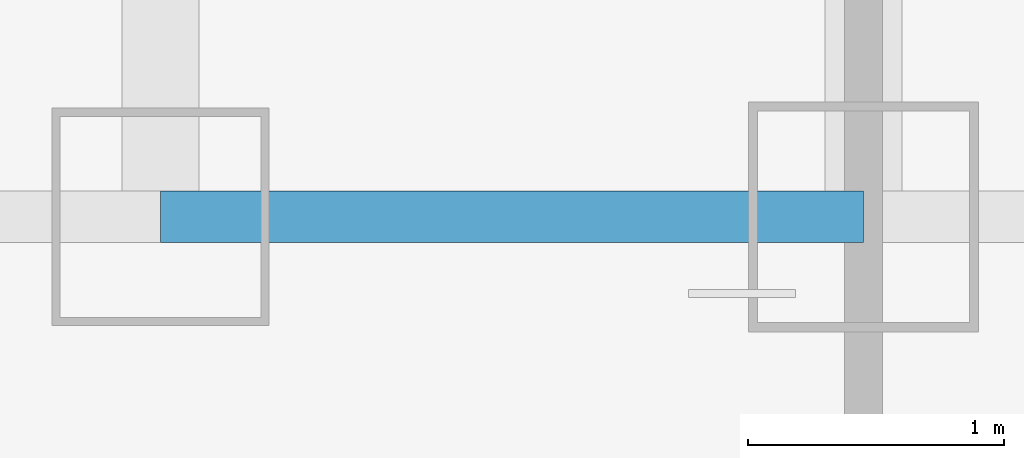
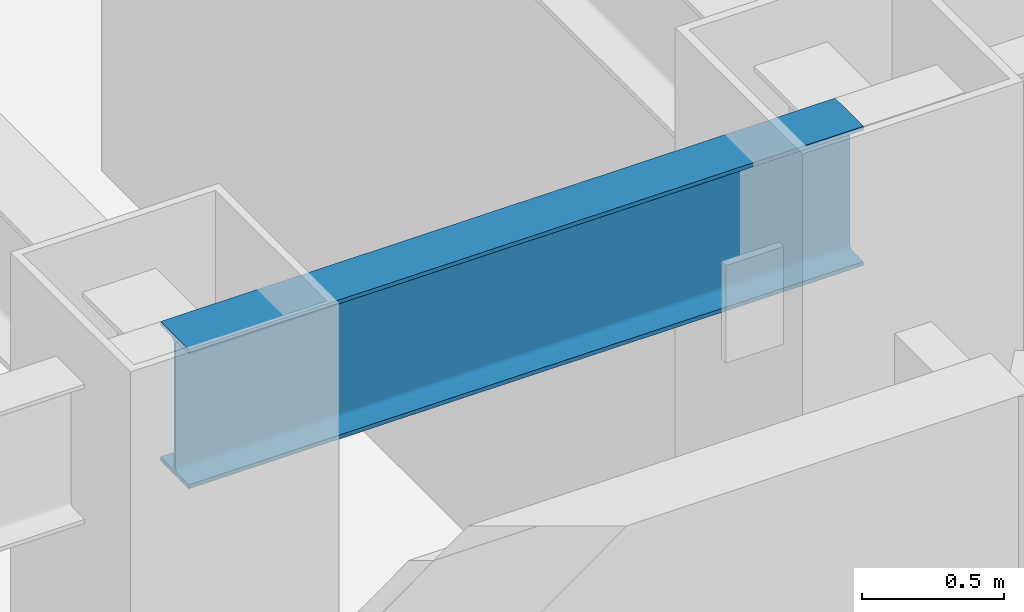
# One storey, part 3 of 29: 1 beam.
"""IFC4 building model written with IfcOpenShell, lengths in metres."""

import ifcopenshell
import ifcopenshell.guid

model = None  # the IFC model being written
_history = None  # IfcOwnerHistory: only IFC2X3 demands one
_inside = {}  # id of a spatial element -> (the spatial element, [elements in it])
_under = {}  # id of a project, library or spatial element -> (it, [spatial elements below it])
_declared = {}  # id of a project -> (the project, [libraries it declares])
_typed = {}  # id of a type object -> (the type object, [elements of that type])
_made_of = {}  # id of a material, layer set ... -> (it, [elements and type objects made of it])


def new_model(schema):
    """Start an empty IFC model of exactly this schema.

    Asked for "IFC4X3", IfcOpenShell would pick the latest addendum, in which some entities
    have other attributes; the version numbers below select the first issue.
    IFC2X3 requires an IfcOwnerHistory on every rooted entity: one is made here for all.
    """
    global model, _history
    if schema == "IFC4X3":
        model = ifcopenshell.file(schema_version=(4, 3, 0, 0))
    else:
        model = ifcopenshell.file(schema=schema)
    _inside.clear()
    _under.clear()
    _declared.clear()
    _typed.clear()
    _made_of.clear()
    _history = None
    if model.schema == "IFC2X3":
        org = make("IfcOrganization", Name="unknown")
        user = make(
            "IfcPersonAndOrganization",
            ThePerson=make("IfcPerson", FamilyName="unknown"),
            TheOrganization=org,
        )
        app = make(
            "IfcApplication",
            ApplicationDeveloper=org,
            Version="unknown",
            ApplicationFullName="unknown",
            ApplicationIdentifier="unknown",
        )
        _history = make(
            "IfcOwnerHistory",
            OwningUser=user,
            OwningApplication=app,
            ChangeAction="ADDED",
            CreationDate=0,
        )
    return model


def make(cls, **values):
    """One entity of the class cls with the attributes given. An attribute that is None is left unset."""
    return model.create_entity(
        cls, **{name: value for name, value in values.items() if value is not None}
    )


def rooted(cls, **values):
    """An entity with a GlobalId (a new one), such as an element, a storey or a relation."""
    return make(cls, GlobalId=ifcopenshell.guid.new(), OwnerHistory=_history, **values)


def si_unit(unit_type, name, prefix=None):
    """IfcSIUnit, for example si_unit("LENGTHUNIT", "METRE", prefix="MILLI")."""
    return make("IfcSIUnit", UnitType=unit_type, Prefix=prefix, Name=name)


def assignment(units):
    """IfcUnitAssignment: the units of a project."""
    return None if units is None else make("IfcUnitAssignment", Units=units)


def point(xyz):
    """IfcCartesianPoint."""
    return None if xyz is None else make("IfcCartesianPoint", Coordinates=xyz)


def direction(xyz):
    """IfcDirection."""
    return None if xyz is None else make("IfcDirection", DirectionRatios=xyz)


def frame(location, z_axis=None, x_axis=None):
    """IfcAxis2Placement3D, a coordinate frame: its origin and axes. An axis left out is left unset."""
    return make(
        "IfcAxis2Placement3D",
        Location=point(location),
        Axis=direction(z_axis),
        RefDirection=direction(x_axis),
    )


def frame_2d(location, x_axis=None):
    """IfcAxis2Placement2D, a coordinate frame in the plane: its origin and x axis."""
    return make(
        "IfcAxis2Placement2D", Location=point(location), RefDirection=direction(x_axis)
    )


def origin():
    """The frame at (0, 0, 0) with its axes left unset."""
    return frame((0.0, 0.0, 0.0))


def origin_2d():
    """The frame at (0, 0) in the plane with its x axis left unset."""
    return frame_2d((0.0, 0.0))


def place(relative_to, where):
    """IfcLocalPlacement: puts the frame where relative to a parent placement (None: the world)."""
    return make(
        "IfcLocalPlacement", PlacementRelTo=relative_to, RelativePlacement=where
    )


def context(
    kind, dimensions, precision=None, world=None, true_north=None, identifier=None
):
    """IfcGeometricRepresentationContext, for example the 3D "Model" context."""
    return make(
        "IfcGeometricRepresentationContext",
        ContextIdentifier=identifier,
        ContextType=kind,
        CoordinateSpaceDimension=dimensions,
        Precision=precision,
        WorldCoordinateSystem=world,
        TrueNorth=true_north,
    )


def subcontext(parent, identifier, kind, view, scale=None):
    """IfcGeometricRepresentationSubContext, for example "Body" below "Model"."""
    return make(
        "IfcGeometricRepresentationSubContext",
        ContextIdentifier=identifier,
        ContextType=kind,
        ParentContext=parent,
        TargetScale=scale,
        TargetView=view,
    )


def project(units=None, contexts=None):
    """IfcProject with its units and contexts."""
    return rooted(
        "IfcProject",
        Name="project",
        RepresentationContexts=contexts,
        UnitsInContext=assignment(units),
    )


def spatial(cls, under=None, at=None, **own):
    """A site, building, storey or space (cls), placed at a placement, below another one or the project."""
    s = rooted(cls, ObjectPlacement=at, **own)
    if under is not None:
        _under.setdefault(under.id(), (under, []))[1].append(s)
    return s


def profile(cls, at=None, kind="AREA", **sizes):
    """A parametric profile (cls). Its sizes go by their IFC names, for example OverallWidth=200.0."""
    return make(cls, ProfileType=kind, Position=at, **sizes)


def i_section(**sizes):
    """IfcIShapeProfileDef."""
    return profile("IfcIShapeProfileDef", **sizes)


def extrude(swept, where, along, depth):
    """IfcExtrudedAreaSolid: the profile swept, set in the frame where, extruded along a direction by depth."""
    return make(
        "IfcExtrudedAreaSolid",
        SweptArea=swept,
        Position=where,
        ExtrudedDirection=direction(along),
        Depth=depth,
    )


def shape(context_of_items, identifier, shape_type, items):
    """IfcShapeRepresentation: the items that make up one representation, for example the "Body"."""
    return make(
        "IfcShapeRepresentation",
        ContextOfItems=context_of_items,
        RepresentationIdentifier=identifier,
        RepresentationType=shape_type,
        Items=items,
    )


def material(Name=None, Category=None):
    """IfcMaterial."""
    return make("IfcMaterial", Name=Name, Category=Category)


def material_profile(
    of_material, cross_section, Name=None, Category=None, Priority=None
):
    """IfcMaterialProfile: a cross section and its material."""
    return make(
        "IfcMaterialProfile",
        Name=Name,
        Material=of_material,
        Profile=cross_section,
        Priority=Priority,
        Category=Category,
    )


def profile_set(profiles, Name=None, composite=None):
    """IfcMaterialProfileSet."""
    return make(
        "IfcMaterialProfileSet",
        Name=Name,
        MaterialProfiles=profiles,
        CompositeProfile=composite,
    )


def made_of(thing, what):
    """Note that an element or type object is made of a material, layer set ...; save() writes the relation."""
    if what is not None:
        _made_of.setdefault(what.id(), (what, []))[1].append(thing)
    return thing


def type_object(cls, material=None, **own):
    """A type object (cls), such as IfcWallType, which elements share."""
    return made_of(rooted(cls, **own), material)


def element(
    cls,
    number,
    at=None,
    inside=None,
    cuts=None,
    type_object=None,
    material=None,
    context=None,
    identifier="Body",
    shape_type=None,
    held_by="IfcProductDefinitionShape",
    body=None,
    shapes=None,
    **own,
):
    """One element of the class cls, such as IfcWall. Its Tag is "e" and its number.

    at: its placement. inside: the storey or other place that contains it. cuts: it is an
    opening in that element (IfcRelVoidsElement). A single representation is given by context,
    identifier, shape_type and body (its items); several are given by shapes. held_by: the class
    of the entity that holds the representations. save() writes the other relations.
    """
    e = rooted(cls, Tag="e%d" % number, ObjectPlacement=at, **own)
    if body is not None:
        shapes = [shape(context, identifier, shape_type, body)]
    if shapes is not None:
        e.Representation = make(held_by, Representations=shapes)
    if inside is not None:
        _inside.setdefault(inside.id(), (inside, []))[1].append(e)
    if cuts is not None:
        rooted(
            "IfcRelVoidsElement", RelatingBuildingElement=cuts, RelatedOpeningElement=e
        )
    if type_object is not None:
        _typed.setdefault(type_object.id(), (type_object, []))[1].append(e)
    return made_of(e, material)


def aggregate(whole, parts):
    """IfcRelAggregates: a whole, such as a stair, and the parts it consists of."""
    return rooted("IfcRelAggregates", RelatingObject=whole, RelatedObjects=parts)


def save(model, path):
    """Write the relations noted so far, then the file.

    IfcRelAggregates (storeys below a building ...), IfcRelContainedInSpatialStructure (elements
    in a storey), IfcRelDefinesByType, IfcRelAssociatesMaterial and IfcRelDeclares: one each for
    every whole, place, type object, material and project.
    """
    for whole, parts in _under.values():
        aggregate(whole, parts)
    for where, things in _inside.values():
        rooted(
            "IfcRelContainedInSpatialStructure",
            RelatedElements=things,
            RelatingStructure=where,
        )
    for kind, things in _typed.values():
        rooted("IfcRelDefinesByType", RelatedObjects=things, RelatingType=kind)
    for what, things in _made_of.values():
        rooted("IfcRelAssociatesMaterial", RelatedObjects=things, RelatingMaterial=what)
    for by, libraries in _declared.values():
        rooted("IfcRelDeclares", RelatingContext=by, RelatedDefinitions=libraries)
    model.write(path)


model = new_model("IFC4")

# Units and contexts
model_context = context("Model", 3, precision=1e-05, world=origin(), true_north=direction((0.0, 1.0)))
body_context = subcontext(model_context, "Body", "Model", "MODEL_VIEW")
ifc_project = project(units=[si_unit("LENGTHUNIT", "METRE"), si_unit("AREAUNIT", "SQUARE_METRE"), si_unit("VOLUMEUNIT", "CUBIC_METRE"), si_unit("PLANEANGLEUNIT", "RADIAN"), si_unit("MASSUNIT", "GRAM", prefix="KILO")], contexts=[model_context])

# Site, building, storey
site_placement = place(None, origin())
site = spatial("IfcSite", under=ifc_project, at=site_placement, CompositionType="ELEMENT")
building_placement = place(site_placement, origin())
building = spatial("IfcBuilding", under=site, at=building_placement, Name="Hatsunagi Terrace Concourse", CompositionType="ELEMENT")
storey_placement = place(building_placement, frame((0.0, 0.0, 126.449951171875)))
storey = spatial("IfcBuildingStorey", under=building, at=storey_placement, Name="L33", CompositionType="ELEMENT", Elevation=126.449951171875)

# Beam
ifc_material = material(Name="Steel SN490B", Category="steel")
ifc_material_profile = material_profile(ifc_material, i_section(OverallWidth=0.199951171875, OverallDepth=0.60009765625, WebThickness=0.010986328125, FlangeThickness=0.01708984375, FilletRadius=0.01806640625, at=origin_2d()), Name="H-600x200x11x17")
ifc_profile_set = profile_set([ifc_material_profile], Name="Steel SN490B")
beam_type = type_object("IfcBeamType", Name="PerimeterSpandrel_H_600x200", PredefinedType="SPANDREL", material=ifc_profile_set)
beam_placement = place(storey_placement, frame((22.800048828125, 25.199951171875, 3.050048828125), z_axis=(1.0, 0.0, 0.0), x_axis=(0.0, 1.0, 0.0)))
element("IfcBeam", 1, at=beam_placement, inside=storey, type_object=beam_type, Name="Beam SP-01 BM-L33-WS-22", PredefinedType="SPANDREL", context=body_context, shape_type="SweptSolid", body=[
    extrude(i_section(OverallWidth=0.199951171875, OverallDepth=0.60009765625, WebThickness=0.010986328125, FlangeThickness=0.01708984375, FilletRadius=0.01806640625, at=origin_2d()), origin(), (0.0, 0.0, 1.0), 2.75),
])

save(model, "model.ifc")
